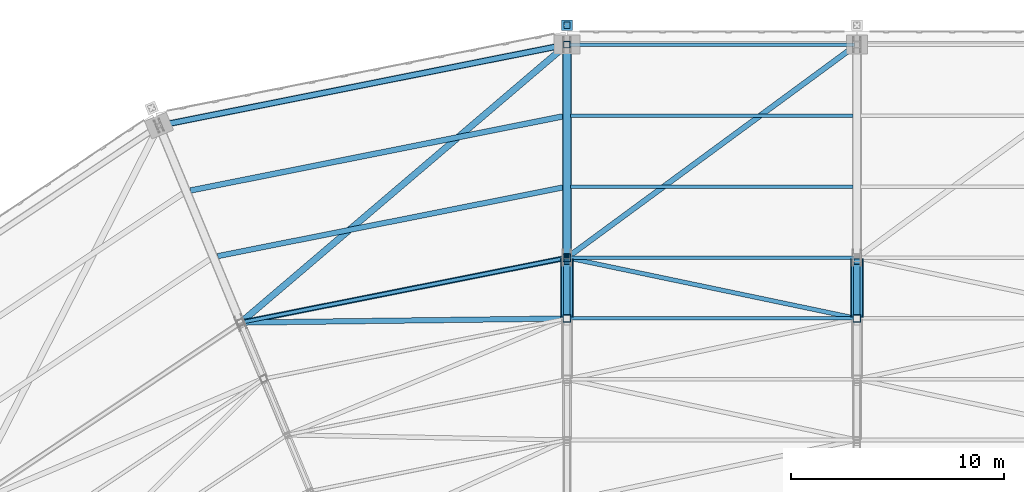
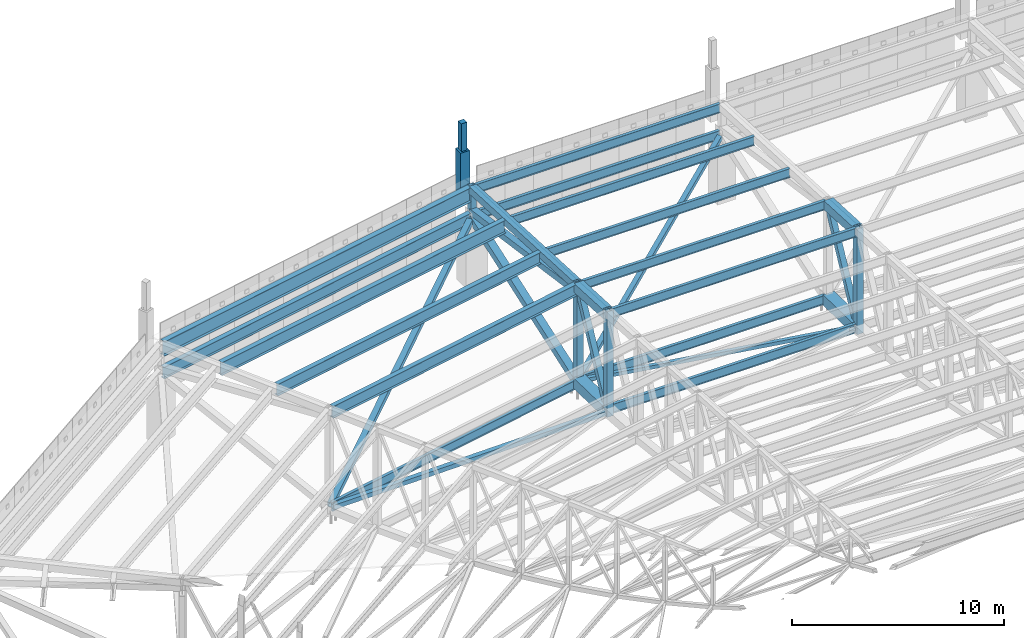
# One storey, part 90 of 278: 23 members, 10 beams.
"""IFC4 building model written with IfcOpenShell, lengths in metres."""

import ifcopenshell
import ifcopenshell.guid

model = None  # the IFC model being written
_history = None  # IfcOwnerHistory: only IFC2X3 demands one
_inside = {}  # id of a spatial element -> (the spatial element, [elements in it])
_under = {}  # id of a project, library or spatial element -> (it, [spatial elements below it])
_declared = {}  # id of a project -> (the project, [libraries it declares])
_typed = {}  # id of a type object -> (the type object, [elements of that type])
_made_of = {}  # id of a material, layer set ... -> (it, [elements and type objects made of it])


def new_model(schema):
    """Start an empty IFC model of exactly this schema.

    Asked for "IFC4X3", IfcOpenShell would pick the latest addendum, in which some entities
    have other attributes; the version numbers below select the first issue.
    IFC2X3 requires an IfcOwnerHistory on every rooted entity: one is made here for all.
    """
    global model, _history
    if schema == "IFC4X3":
        model = ifcopenshell.file(schema_version=(4, 3, 0, 0))
    else:
        model = ifcopenshell.file(schema=schema)
    _inside.clear()
    _under.clear()
    _declared.clear()
    _typed.clear()
    _made_of.clear()
    _history = None
    if model.schema == "IFC2X3":
        org = make("IfcOrganization", Name="unknown")
        user = make(
            "IfcPersonAndOrganization",
            ThePerson=make("IfcPerson", FamilyName="unknown"),
            TheOrganization=org,
        )
        app = make(
            "IfcApplication",
            ApplicationDeveloper=org,
            Version="unknown",
            ApplicationFullName="unknown",
            ApplicationIdentifier="unknown",
        )
        _history = make(
            "IfcOwnerHistory",
            OwningUser=user,
            OwningApplication=app,
            ChangeAction="ADDED",
            CreationDate=0,
        )
    return model


def make(cls, **values):
    """One entity of the class cls with the attributes given. An attribute that is None is left unset."""
    return model.create_entity(
        cls, **{name: value for name, value in values.items() if value is not None}
    )


def rooted(cls, **values):
    """An entity with a GlobalId (a new one), such as an element, a storey or a relation."""
    return make(cls, GlobalId=ifcopenshell.guid.new(), OwnerHistory=_history, **values)


def si_unit(unit_type, name, prefix=None):
    """IfcSIUnit, for example si_unit("LENGTHUNIT", "METRE", prefix="MILLI")."""
    return make("IfcSIUnit", UnitType=unit_type, Prefix=prefix, Name=name)


def assignment(units):
    """IfcUnitAssignment: the units of a project."""
    return None if units is None else make("IfcUnitAssignment", Units=units)


def point(xyz):
    """IfcCartesianPoint."""
    return None if xyz is None else make("IfcCartesianPoint", Coordinates=xyz)


def direction(xyz):
    """IfcDirection."""
    return None if xyz is None else make("IfcDirection", DirectionRatios=xyz)


def frame(location, z_axis=None, x_axis=None):
    """IfcAxis2Placement3D, a coordinate frame: its origin and axes. An axis left out is left unset."""
    return make(
        "IfcAxis2Placement3D",
        Location=point(location),
        Axis=direction(z_axis),
        RefDirection=direction(x_axis),
    )


def frame_2d(location, x_axis=None):
    """IfcAxis2Placement2D, a coordinate frame in the plane: its origin and x axis."""
    return make(
        "IfcAxis2Placement2D", Location=point(location), RefDirection=direction(x_axis)
    )


def origin():
    """The frame at (0, 0, 0) with its axes left unset."""
    return frame((0.0, 0.0, 0.0))


def origin_2d():
    """The frame at (0, 0) in the plane with its x axis left unset."""
    return frame_2d((0.0, 0.0))


def place(relative_to, where):
    """IfcLocalPlacement: puts the frame where relative to a parent placement (None: the world)."""
    return make(
        "IfcLocalPlacement", PlacementRelTo=relative_to, RelativePlacement=where
    )


def context(
    kind, dimensions, precision=None, world=None, true_north=None, identifier=None
):
    """IfcGeometricRepresentationContext, for example the 3D "Model" context."""
    return make(
        "IfcGeometricRepresentationContext",
        ContextIdentifier=identifier,
        ContextType=kind,
        CoordinateSpaceDimension=dimensions,
        Precision=precision,
        WorldCoordinateSystem=world,
        TrueNorth=true_north,
    )


def subcontext(parent, identifier, kind, view, scale=None):
    """IfcGeometricRepresentationSubContext, for example "Body" below "Model"."""
    return make(
        "IfcGeometricRepresentationSubContext",
        ContextIdentifier=identifier,
        ContextType=kind,
        ParentContext=parent,
        TargetScale=scale,
        TargetView=view,
    )


def project(units=None, contexts=None):
    """IfcProject with its units and contexts."""
    return rooted(
        "IfcProject",
        Name="project",
        RepresentationContexts=contexts,
        UnitsInContext=assignment(units),
    )


def spatial(cls, under=None, at=None, **own):
    """A site, building, storey or space (cls), placed at a placement, below another one or the project."""
    s = rooted(cls, ObjectPlacement=at, **own)
    if under is not None:
        _under.setdefault(under.id(), (under, []))[1].append(s)
    return s


def profile(cls, at=None, kind="AREA", **sizes):
    """A parametric profile (cls). Its sizes go by their IFC names, for example OverallWidth=200.0."""
    return make(cls, ProfileType=kind, Position=at, **sizes)


def rectangle(**sizes):
    """IfcRectangleProfileDef."""
    return profile("IfcRectangleProfileDef", **sizes)


def hollow_rectangle(**sizes):
    """IfcRectangleHollowProfileDef."""
    return profile("IfcRectangleHollowProfileDef", **sizes)


def i_section(**sizes):
    """IfcIShapeProfileDef."""
    return profile("IfcIShapeProfileDef", **sizes)


def extrude(swept, where, along, depth):
    """IfcExtrudedAreaSolid: the profile swept, set in the frame where, extruded along a direction by depth."""
    return make(
        "IfcExtrudedAreaSolid",
        SweptArea=swept,
        Position=where,
        ExtrudedDirection=direction(along),
        Depth=depth,
    )


def shape(context_of_items, identifier, shape_type, items):
    """IfcShapeRepresentation: the items that make up one representation, for example the "Body"."""
    return make(
        "IfcShapeRepresentation",
        ContextOfItems=context_of_items,
        RepresentationIdentifier=identifier,
        RepresentationType=shape_type,
        Items=items,
    )


def material(Name=None, Category=None):
    """IfcMaterial."""
    return make("IfcMaterial", Name=Name, Category=Category)


def material_profile(
    of_material, cross_section, Name=None, Category=None, Priority=None
):
    """IfcMaterialProfile: a cross section and its material."""
    return make(
        "IfcMaterialProfile",
        Name=Name,
        Material=of_material,
        Profile=cross_section,
        Priority=Priority,
        Category=Category,
    )


def profile_set(profiles, Name=None, composite=None):
    """IfcMaterialProfileSet."""
    return make(
        "IfcMaterialProfileSet",
        Name=Name,
        MaterialProfiles=profiles,
        CompositeProfile=composite,
    )


def made_of(thing, what):
    """Note that an element or type object is made of a material, layer set ...; save() writes the relation."""
    if what is not None:
        _made_of.setdefault(what.id(), (what, []))[1].append(thing)
    return thing


def type_object(cls, material=None, **own):
    """A type object (cls), such as IfcWallType, which elements share."""
    return made_of(rooted(cls, **own), material)


def element(
    cls,
    number,
    at=None,
    inside=None,
    cuts=None,
    type_object=None,
    material=None,
    context=None,
    identifier="Body",
    shape_type=None,
    held_by="IfcProductDefinitionShape",
    body=None,
    shapes=None,
    **own,
):
    """One element of the class cls, such as IfcWall. Its Tag is "e" and its number.

    at: its placement. inside: the storey or other place that contains it. cuts: it is an
    opening in that element (IfcRelVoidsElement). A single representation is given by context,
    identifier, shape_type and body (its items); several are given by shapes. held_by: the class
    of the entity that holds the representations. save() writes the other relations.
    """
    e = rooted(cls, Tag="e%d" % number, ObjectPlacement=at, **own)
    if body is not None:
        shapes = [shape(context, identifier, shape_type, body)]
    if shapes is not None:
        e.Representation = make(held_by, Representations=shapes)
    if inside is not None:
        _inside.setdefault(inside.id(), (inside, []))[1].append(e)
    if cuts is not None:
        rooted(
            "IfcRelVoidsElement", RelatingBuildingElement=cuts, RelatedOpeningElement=e
        )
    if type_object is not None:
        _typed.setdefault(type_object.id(), (type_object, []))[1].append(e)
    return made_of(e, material)


def aggregate(whole, parts):
    """IfcRelAggregates: a whole, such as a stair, and the parts it consists of."""
    return rooted("IfcRelAggregates", RelatingObject=whole, RelatedObjects=parts)


def save(model, path):
    """Write the relations noted so far, then the file.

    IfcRelAggregates (storeys below a building ...), IfcRelContainedInSpatialStructure (elements
    in a storey), IfcRelDefinesByType, IfcRelAssociatesMaterial and IfcRelDeclares: one each for
    every whole, place, type object, material and project.
    """
    for whole, parts in _under.values():
        aggregate(whole, parts)
    for where, things in _inside.values():
        rooted(
            "IfcRelContainedInSpatialStructure",
            RelatedElements=things,
            RelatingStructure=where,
        )
    for kind, things in _typed.values():
        rooted("IfcRelDefinesByType", RelatedObjects=things, RelatingType=kind)
    for what, things in _made_of.values():
        rooted("IfcRelAssociatesMaterial", RelatedObjects=things, RelatingMaterial=what)
    for by, libraries in _declared.values():
        rooted("IfcRelDeclares", RelatingContext=by, RelatedDefinitions=libraries)
    model.write(path)


model = new_model("IFC4")

# Units and contexts
model_context = context("Model", 3, precision=1e-05, world=origin(), true_north=direction((0.0, 1.0)))
body_context = subcontext(model_context, "Body", "Model", "MODEL_VIEW")
ifc_project = project(units=[si_unit("LENGTHUNIT", "METRE"), si_unit("AREAUNIT", "SQUARE_METRE"), si_unit("VOLUMEUNIT", "CUBIC_METRE"), si_unit("PLANEANGLEUNIT", "RADIAN"), si_unit("MASSUNIT", "GRAM", prefix="KILO")], contexts=[model_context])

# Site, building, storey
site_placement = place(None, origin())
site = spatial("IfcSite", under=ifc_project, at=site_placement, CompositionType="ELEMENT")
building_placement = place(site_placement, origin())
building = spatial("IfcBuilding", under=site, at=building_placement, Name="Ogive Plaza Stadium", CompositionType="ELEMENT")
storey_placement = place(building_placement, frame((0.0, 0.0, 29.0)))
storey = spatial("IfcBuildingStorey", under=building, at=storey_placement, Name="Roof", CompositionType="ELEMENT", Elevation=29.0)

# Members
ifc_material_1 = material(Name="Concrete C45/55 precast", Category="concrete")
ifc_material_profile_1 = material_profile(ifc_material_1, rectangle(XDim=0.5, YDim=0.5, at=origin_2d()), Name="RC 500x500")
ifc_profile_set_1 = profile_set([ifc_material_profile_1], Name="Concrete C45/55 precast")
member_type_1 = type_object("IfcMemberType", Name="Precast pinnacle 500x500", PredefinedType="POST", material=ifc_profile_set_1)
member_1_placement = place(storey_placement, frame((-34.0, 103.39990234375, 4.0), z_axis=(0.0, 0.0, 1.0), x_axis=(-1.0, 0.0, 0.0)))
element("IfcMember", 1, at=member_1_placement, inside=storey, type_object=member_type_1, Name="PINNACLE R32", PredefinedType="POST", context=body_context, shape_type="SweptSolid", body=[
    extrude(rectangle(XDim=0.5, YDim=0.5, at=origin_2d()), origin(), (0.0, 0.0, 1.0), 3.0),
])
ifc_material_2 = material(Name="Concrete C45/55 precast", Category="concrete")
ifc_material_profile_2 = material_profile(ifc_material_2, rectangle(XDim=0.300048828125, YDim=0.300048828125, at=origin_2d()), Name="RC 300x300")
ifc_profile_set_2 = profile_set([ifc_material_profile_2], Name="Concrete C45/55 precast")
member_type_2 = type_object("IfcMemberType", Name="Precast spire 300x300", PredefinedType="MEMBER", material=ifc_profile_set_2)
member_2_placement = place(storey_placement, frame((-34.0, 103.39990234375, 7.0), z_axis=(0.0, 0.0, 1.0), x_axis=(-1.0, 0.0, 0.0)))
element("IfcMember", 2, at=member_2_placement, inside=storey, type_object=member_type_2, Name="SPIRE R32", PredefinedType="MEMBER", context=body_context, shape_type="SweptSolid", body=[
    extrude(rectangle(XDim=0.300048828125, YDim=0.300048828125, at=origin_2d()), origin(), (0.0, 0.0, 1.0), 1.60009765625),
])
ifc_material_3 = material(Name="Steel ASTM A500 Grade C", Category="steel")
ifc_material_profile_3 = material_profile(ifc_material_3, hollow_rectangle(XDim=0.25390625, YDim=0.25390625, WallThickness=0.0087890625, at=origin_2d()), Name="HSS10X10X3/8")
ifc_profile_set_3 = profile_set([ifc_material_profile_3], Name="Steel ASTM A500 Grade C")
member_type_3 = type_object("IfcMemberType", Name="Roof plan brace HSS10X10X3/8", PredefinedType="BRACE", material=ifc_profile_set_3)
member_3_placement = place(storey_placement, frame((-34.1494140625, 89.648193359375, 0.266845703125), z_axis=(-0.99991008144, -0.012733242681, -0.004206372102), x_axis=(0.01273335533, -0.999918927545, 0.0)))
element("IfcMember", 3, at=member_3_placement, inside=storey, type_object=member_type_3, Name="ROOF BRACE B31 10", PredefinedType="BRACE", context=body_context, shape_type="SweptSolid", body=[
    extrude(hollow_rectangle(XDim=0.25390625, YDim=0.25390625, WallThickness=0.0087890625, at=origin_2d()), origin(), (0.0, 0.0, 1.0), 14.974609375),
])
member_4_placement = place(storey_placement, frame((-33.771240234375, 92.668212890625, 0.362060546875), z_axis=(0.789806515967, 0.580738793181, 0.197352784197), x_axis=(-0.592389594991, 0.805651641683, 0.0)))
element("IfcMember", 4, at=member_4_placement, inside=storey, type_object=member_type_3, Name="ROOF BRACE B32 11", PredefinedType="BRACE", context=body_context, shape_type="SweptSolid", body=[
    extrude(hollow_rectangle(XDim=0.25390625, YDim=0.25390625, WallThickness=0.0087890625, at=origin_2d()), origin(), (0.0, 0.0, 1.0), 16.672119140625),
])
ifc_material_4 = material(Name="Steel ASTM A500 Grade C", Category="steel")
ifc_material_profile_4 = material_profile(ifc_material_4, hollow_rectangle(XDim=0.3046875, YDim=0.3046875, WallThickness=0.0087890625, at=origin_2d()), Name="HSS12X12X3/8")
ifc_profile_set_4 = profile_set([ifc_material_profile_4], Name="Steel ASTM A500 Grade C")
member_type_4 = type_object("IfcMemberType", Name="Roof plan brace HSS12X12X3/8", PredefinedType="BRACE", material=ifc_profile_set_4)
member_5_placement = place(storey_placement, frame((-49.170654296875, 89.571533203125, 0.234130859375), z_axis=(0.749996237985, 0.639156639067, 0.170248153429), x_axis=(-0.648625783566, 0.761107477886, 0.0)))
element("IfcMember", 5, at=member_5_placement, inside=storey, type_object=member_type_4, Name="ROOF BRACE B31 11", PredefinedType="BRACE", context=body_context, shape_type="SweptSolid", body=[
    extrude(hollow_rectangle(XDim=0.3046875, YDim=0.3046875, WallThickness=0.0087890625, at=origin_2d()), origin(), (0.0, 0.0, 1.0), 19.9228515625),
])
ifc_material_5 = material(Name="Steel ASTM A500 Grade C", Category="steel")
ifc_material_profile_5 = material_profile(ifc_material_5, hollow_rectangle(XDim=0.203125, YDim=0.203125, WallThickness=0.0087890625, at=origin_2d()), Name="HSS8X8X3/8")
ifc_profile_set_5 = profile_set([ifc_material_profile_5], Name="Steel ASTM A500 Grade C")
member_type_5 = type_object("IfcMemberType", Name="Roof plan brace HSS8X8X3/8", PredefinedType="BRACE", material=ifc_profile_set_5)
member_6_placement = place(storey_placement, frame((-20.5693359375, 89.685546875, 0.3681640625), z_axis=(-0.978729937555, 0.205101030564, -0.004612656051), x_axis=(-0.205103212524, -0.978740349742, 0.0)))
element("IfcMember", 6, at=member_6_placement, inside=storey, type_object=member_type_5, Name="ROOF BRACE B32 10", PredefinedType="BRACE", context=body_context, shape_type="SweptSolid", body=[
    extrude(hollow_rectangle(XDim=0.203125, YDim=0.203125, WallThickness=0.0087890625, at=origin_2d()), origin(), (0.0, 0.0, 1.0), 13.549560546875),
])
ifc_material_6 = material(Name="Steel ASTM A992 Grade 50", Category="steel")
ifc_material_profile_6 = material_profile(ifc_material_6, i_section(OverallWidth=0.1650390625, OverallDepth=0.524658203125, WebThickness=0.0087890625, FlangeThickness=0.011474609375, at=origin_2d()), Name="W21X44")
ifc_profile_set_6 = profile_set([ifc_material_profile_6], Name="Steel ASTM A992 Grade 50")
member_type_6 = type_object("IfcMemberType", Name="Roof plan strut W21X44", PredefinedType="STRUT", material=ifc_profile_set_6)
member_7_placement = place(storey_placement, frame((-49.168212890625, 89.48291015625, 0.203125), z_axis=(0.98078576758, 0.195087872799, 0.0), x_axis=(-0.195087872799, 0.98078576758, 0.0)))
element("IfcMember", 7, at=member_7_placement, inside=storey, type_object=member_type_6, Name="ROOF STRUT B31 10", PredefinedType="STRUT", context=body_context, shape_type="SweptSolid", body=[
    extrude(i_section(OverallWidth=0.1650390625, OverallDepth=0.524658203125, WebThickness=0.0087890625, FlangeThickness=0.011474609375, at=origin_2d()), origin(), (0.0, 0.0, 1.0), 15.297607421875),
])
for number, where, z_axis, x_axis, name in (
    (8, (-33.852294921875, 89.64990234375, 0.369140625), (1.0, 0.0, 0.0), (0.0, 1.0, 0.0), "ROOF STRUT B32 9"),
    (9, (-33.852294921875, 92.5, 0.3046875), (1.0, 0.0, 0.0), (0.0, 1.0, 0.0), "ROOF STRUT B32 10"),
):
    element("IfcMember", number, at=place(storey_placement, frame(where, z_axis=z_axis, x_axis=x_axis)), inside=storey, type_object=member_type_6, Name=name, PredefinedType="STRUT", context=body_context, shape_type="SweptSolid", body=[
        extrude(i_section(OverallWidth=0.1650390625, OverallDepth=0.524658203125, WebThickness=0.0087890625, FlangeThickness=0.011474609375, at=origin_2d()), origin(), (0.0, 0.0, 1.0), 13.304443359375),
    ])
member_8_placement = place(storey_placement, frame((-33.877685546875, 102.5, 3.703125), z_axis=(1.0, 0.0, 0.0), x_axis=(0.0, 1.0, 0.0)))
element("IfcMember", 10, at=member_8_placement, inside=storey, type_object=member_type_6, Name="ROOF STRUT B32 11", PredefinedType="STRUT", context=body_context, shape_type="SweptSolid", body=[
    extrude(i_section(OverallWidth=0.1650390625, OverallDepth=0.524658203125, WebThickness=0.0087890625, FlangeThickness=0.011474609375, at=origin_2d()), origin(), (0.0, 0.0, 1.0), 13.355224609375),
])
ifc_material_7 = material(Name="Steel ASTM A992 Grade 50", Category="steel")
ifc_material_profile_7 = material_profile(ifc_material_7, i_section(OverallWidth=0.2529296875, OverallDepth=0.678466796875, WebThickness=0.01171875, FlangeThickness=0.016357421875, at=origin_2d()), Name="W27X84")
ifc_profile_set_7 = profile_set([ifc_material_profile_7], Name="Steel ASTM A992 Grade 50")
member_type_7 = type_object("IfcMemberType", Name="Roof plan strut W27X84", PredefinedType="STRUT", material=ifc_profile_set_7)
member_9_placement = place(storey_placement, frame((-53.037353515625, 98.713134765625, 3.677734375), z_axis=(0.980783455639, 0.195099495499, 0.0), x_axis=(-0.195099495499, 0.980783455639, 0.0)))
element("IfcMember", 11, at=member_9_placement, inside=storey, type_object=member_type_7, Name="ROOF STRUT B31 11", PredefinedType="STRUT", context=body_context, shape_type="SweptSolid", body=[
    extrude(i_section(OverallWidth=0.2529296875, OverallDepth=0.678466796875, WebThickness=0.01171875, FlangeThickness=0.016357421875, at=origin_2d()), origin(), (0.0, 0.0, 1.0), 19.259765625),
])
ifc_material_8 = material(Name="Steel ASTM A992 Grade 50", Category="steel")
ifc_material_profile_8 = material_profile(ifc_material_8, i_section(OverallWidth=0.1650390625, OverallDepth=0.524658203125, WebThickness=0.0087890625, FlangeThickness=0.011474609375, at=origin_2d()), Name="W21X44")
ifc_profile_set_8 = profile_set([ifc_material_profile_8], Name="Steel ASTM A992 Grade 50")
member_type_8 = type_object("IfcMemberType", Name="Roof purlin W21X44", PredefinedType="PURLIN", material=ifc_profile_set_8)
for number, where, z_axis, x_axis, name in (
    (12, (-33.852294921875, 89.64990234375, 5.880126953125), (1.0, 0.0, 0.0), (0.0, 1.0, 0.0), "ROOF PURLIN B32 9"),
    (13, (-33.852294921875, 92.5, 5.737548828125), (1.0, 0.0, 0.0), (0.0, 1.0, 0.0), "ROOF PURLIN B32 10"),
):
    element("IfcMember", number, at=place(storey_placement, frame(where, z_axis=z_axis, x_axis=x_axis)), inside=storey, type_object=member_type_8, Name=name, PredefinedType="PURLIN", context=body_context, shape_type="SweptSolid", body=[
        extrude(i_section(OverallWidth=0.1650390625, OverallDepth=0.524658203125, WebThickness=0.0087890625, FlangeThickness=0.011474609375, at=origin_2d()), origin(), (0.0, 0.0, 1.0), 13.304443359375),
    ])
for number, where, z_axis, x_axis, name in (
    (14, (-33.826904296875, 95.833251953125, 5.571044921875), (1.0, 0.0, 0.0), (0.0, 1.0, 0.0), "ROOF PURLIN B32 11"),
    (15, (-33.826904296875, 99.166748046875, 5.404296875), (1.0, 0.0, 0.0), (0.0, 1.0, 0.0), "ROOF PURLIN B32 12"),
):
    element("IfcMember", number, at=place(storey_placement, frame(where, z_axis=z_axis, x_axis=x_axis)), inside=storey, type_object=member_type_8, Name=name, PredefinedType="PURLIN", context=body_context, shape_type="SweptSolid", body=[
        extrude(i_section(OverallWidth=0.1650390625, OverallDepth=0.524658203125, WebThickness=0.0087890625, FlangeThickness=0.011474609375, at=origin_2d()), origin(), (0.0, 0.0, 1.0), 13.253662109375),
    ])
member_10_placement = place(storey_placement, frame((-33.877685546875, 102.5, 5.237548828125), z_axis=(1.0, 0.0, 0.0), x_axis=(0.0, 1.0, 0.0)))
element("IfcMember", 16, at=member_10_placement, inside=storey, type_object=member_type_8, Name="ROOF PURLIN B32 13", PredefinedType="PURLIN", context=body_context, shape_type="SweptSolid", body=[
    extrude(i_section(OverallWidth=0.1650390625, OverallDepth=0.524658203125, WebThickness=0.0087890625, FlangeThickness=0.011474609375, at=origin_2d()), origin(), (0.0, 0.0, 1.0), 13.355224609375),
])
ifc_material_9 = material(Name="Steel ASTM A992 Grade 50", Category="steel")
ifc_material_profile_9 = material_profile(ifc_material_9, i_section(OverallWidth=0.2529296875, OverallDepth=0.678466796875, WebThickness=0.01171875, FlangeThickness=0.016357421875, at=origin_2d()), Name="W27X84")
ifc_profile_set_9 = profile_set([ifc_material_profile_9], Name="Steel ASTM A992 Grade 50")
member_type_9 = type_object("IfcMemberType", Name="Roof purlin W27X84", PredefinedType="PURLIN", material=ifc_profile_set_9)
member_11_placement = place(storey_placement, frame((-49.15966796875, 89.484619140625, 5.660888671875), z_axis=(0.980786000888, 0.195086699859, 0.0), x_axis=(-0.195086699859, 0.980786000888, 0.0)))
element("IfcMember", 17, at=member_11_placement, inside=storey, type_object=member_type_9, Name="ROOF PURLIN B31 10", PredefinedType="PURLIN", context=body_context, shape_type="SweptSolid", body=[
    extrude(i_section(OverallWidth=0.2529296875, OverallDepth=0.678466796875, WebThickness=0.01171875, FlangeThickness=0.016357421875, at=origin_2d()), origin(), (0.0, 0.0, 1.0), 15.2802734375),
])
member_12_placement = place(storey_placement, frame((-50.384521484375, 92.57421875, 5.494140625), z_axis=(0.980783842794, 0.195097549229, 0.0), x_axis=(-0.195097549229, 0.980783842794, 0.0)))
element("IfcMember", 18, at=member_12_placement, inside=storey, type_object=member_type_9, Name="ROOF PURLIN B31 11", PredefinedType="PURLIN", context=body_context, shape_type="SweptSolid", body=[
    extrude(i_section(OverallWidth=0.2529296875, OverallDepth=0.678466796875, WebThickness=0.01171875, FlangeThickness=0.016357421875, at=origin_2d()), origin(), (0.0, 0.0, 1.0), 16.503173828125),
])
ifc_material_10 = material(Name="Steel ASTM A992 Grade 50", Category="steel")
ifc_material_profile_10 = material_profile(ifc_material_10, i_section(OverallWidth=0.26416015625, OverallDepth=0.75, WebThickness=0.011962890625, FlangeThickness=0.015380859375, at=origin_2d()), Name="W30X90")
ifc_profile_set_10 = profile_set([ifc_material_profile_10], Name="Steel ASTM A992 Grade 50")
member_type_10 = type_object("IfcMemberType", Name="Roof purlin W30X90", PredefinedType="PURLIN", material=ifc_profile_set_10)
member_13_placement = place(storey_placement, frame((-51.658935546875, 95.654052734375, 5.291748046875), z_axis=(0.98078533037, 0.195090070818, 0.0), x_axis=(-0.195090070818, 0.98078533037, 0.0)))
element("IfcMember", 19, at=member_13_placement, inside=storey, type_object=member_type_10, Name="ROOF PURLIN B31 12", PredefinedType="PURLIN", context=body_context, shape_type="SweptSolid", body=[
    extrude(i_section(OverallWidth=0.26416015625, OverallDepth=0.75, WebThickness=0.011962890625, FlangeThickness=0.015380859375, at=origin_2d()), origin(), (0.0, 0.0, 1.0), 17.801513671875),
])
ifc_material_11 = material(Name="Steel ASTM A992 Grade 50", Category="steel")
ifc_material_profile_11 = material_profile(ifc_material_11, i_section(OverallWidth=0.2919921875, OverallDepth=0.834716796875, WebThickness=0.013916015625, FlangeThickness=0.018798828125, at=origin_2d()), Name="W33X118")
ifc_profile_set_11 = profile_set([ifc_material_profile_11], Name="Steel ASTM A992 Grade 50")
member_type_11 = type_object("IfcMemberType", Name="Roof purlin W33X118", PredefinedType="PURLIN", material=ifc_profile_set_11)
member_14_placement = place(storey_placement, frame((-53.033447265625, 98.714111328125, 5.082763671875), z_axis=(0.98078547793, 0.195089328978, 0.0), x_axis=(-0.195089328978, 0.98078547793, 0.0)))
element("IfcMember", 20, at=member_14_placement, inside=storey, type_object=member_type_11, Name="ROOF PURLIN B31 13", PredefinedType="PURLIN", context=body_context, shape_type="SweptSolid", body=[
    extrude(i_section(OverallWidth=0.2919921875, OverallDepth=0.834716796875, WebThickness=0.013916015625, FlangeThickness=0.018798828125, at=origin_2d()), origin(), (0.0, 0.0, 1.0), 19.251953125),
])

# Beams
ifc_material_12 = material(Name="Steel ASTM A500 Grade C", Category="steel")
ifc_material_profile_12 = material_profile(ifc_material_12, hollow_rectangle(XDim=0.406494140625, YDim=0.406494140625, WallThickness=0.0146484375, at=origin_2d()), Name="HSS16X16X5/8")
ifc_profile_set_12 = profile_set([ifc_material_profile_12], Name="Steel ASTM A500 Grade C")
beam_type_1 = type_object("IfcBeamType", Name="Roof truss back-span bottom chord HSS16X16X5/8", PredefinedType="BEAM", material=ifc_profile_set_12)
beam_1_placement = place(storey_placement, frame((-34.0, 92.550048828125, 0.232666015625), z_axis=(0.0, 0.943851085966, 0.330371196567), x_axis=(-1.0, 0.0, 0.0)))
element("IfcBeam", 21, at=beam_1_placement, inside=storey, type_object=beam_type_1, Name="ROOF TRUSS T32 BOTTOM CHORD 11", PredefinedType="BEAM", context=body_context, shape_type="SweptSolid", body=[
    extrude(hollow_rectangle(XDim=0.406494140625, YDim=0.406494140625, WallThickness=0.0146484375, at=origin_2d()), origin(), (0.0, 0.0, 1.0), 10.470703125),
])
ifc_material_13 = material(Name="Steel ASTM A500 Grade C", Category="steel")
ifc_material_profile_13 = material_profile(ifc_material_13, hollow_rectangle(XDim=0.406494140625, YDim=0.406494140625, WallThickness=0.0146484375, at=origin_2d()), Name="HSS16X16X5/8")
ifc_profile_set_13 = profile_set([ifc_material_profile_13], Name="Steel ASTM A500 Grade C")
beam_type_2 = type_object("IfcBeamType", Name="Roof truss back-span top chord HSS16X16X5/8", PredefinedType="BEAM", material=ifc_profile_set_13)
beam_2_placement = place(storey_placement, frame((-34.0, 92.550048828125, 5.7939453125), z_axis=(0.0, 0.998752953021, -0.049925332571), x_axis=(-1.0, 0.0, 0.0)))
element("IfcBeam", 22, at=beam_2_placement, inside=storey, type_object=beam_type_2, Name="ROOF TRUSS T32 TOP CHORD 11", PredefinedType="BEAM", context=body_context, shape_type="SweptSolid", body=[
    extrude(hollow_rectangle(XDim=0.406494140625, YDim=0.406494140625, WallThickness=0.0146484375, at=origin_2d()), origin(), (0.0, 0.0, 1.0), 9.912353515625),
])

# Member
ifc_material_14 = material(Name="Steel ASTM A500 Grade C", Category="steel")
ifc_material_profile_14 = material_profile(ifc_material_14, hollow_rectangle(XDim=0.355712890625, YDim=0.355712890625, WallThickness=0.0146484375, at=origin_2d()), Name="HSS14X14X5/8")
ifc_profile_set_14 = profile_set([ifc_material_profile_14], Name="Steel ASTM A500 Grade C")
member_type_12 = type_object("IfcMemberType", Name="Roof truss back-stay HSS14X14X5/8", PredefinedType="BRACE", material=ifc_profile_set_14)
member_15_placement = place(storey_placement, frame((-34.0, 92.593017578125, 5.45654296875), z_axis=(0.0, 0.989844100519, -0.142157154826), x_axis=(-1.0, 0.0, 0.0)))
element("IfcMember", 23, at=member_15_placement, inside=storey, type_object=member_type_12, Name="BACK-STAY T32", PredefinedType="BRACE", context=body_context, shape_type="SweptSolid", body=[
    extrude(hollow_rectangle(XDim=0.355712890625, YDim=0.355712890625, WallThickness=0.0146484375, at=origin_2d()), origin(), (0.0, 0.0, 1.0), 9.9404296875),
])

# Beams
ifc_material_15 = material(Name="Steel ASTM A500 Grade C", Category="steel")
ifc_material_profile_15 = material_profile(ifc_material_15, hollow_rectangle(XDim=0.609619140625, YDim=0.609619140625, WallThickness=0.0146484375, at=origin_2d()), Name="HSS24X24X5/8")
ifc_profile_set_15 = profile_set([ifc_material_profile_15], Name="Steel ASTM A500 Grade C")
beam_type_3 = type_object("IfcBeamType", Name="Roof truss bottom chord HSS24X24X5/8", PredefinedType="BEAM", material=ifc_profile_set_15)
for number, where, z_axis, x_axis, name in (
    (24, (-34.0, 89.699951171875, 0.367919921875), (0.0, 0.999745852076, -0.022543984946), (-1.0, 0.0, 0.0), "ROOF TRUSS T32 BOTTOM CHORD 10"),
    (25, (-20.39990234375, 89.699951171875, 0.367919921875), (0.0, 0.999745852076, -0.022543984946), (-1.0, 0.0, 0.0), "ROOF TRUSS T33 BOTTOM CHORD 10"),
):
    element("IfcBeam", number, at=place(storey_placement, frame(where, z_axis=z_axis, x_axis=x_axis)), inside=storey, type_object=beam_type_3, Name=name, PredefinedType="BEAM", context=body_context, shape_type="SweptSolid", body=[
        extrude(hollow_rectangle(XDim=0.609619140625, YDim=0.609619140625, WallThickness=0.0146484375, at=origin_2d()), origin(), (0.0, 0.0, 1.0), 2.750732421875),
    ])

# Members
ifc_material_16 = material(Name="Steel ASTM A500 Grade C", Category="steel")
ifc_material_profile_16 = material_profile(ifc_material_16, hollow_rectangle(XDim=0.3046875, YDim=0.3046875, WallThickness=0.0087890625, at=origin_2d()), Name="HSS12X12X3/8")
ifc_profile_set_16 = profile_set([ifc_material_profile_16], Name="Steel ASTM A500 Grade C")
member_type_13 = type_object("IfcMemberType", Name="Roof truss diagonal HSS12X12X3/8", PredefinedType="BRACE", material=ifc_profile_set_16)
for number, where, z_axis, x_axis, name in (
    (26, (-34.0, 89.827880859375, 0.673828125), (0.0, 0.459750963822, 0.888047887934), (-1.0, 0.0, 0.0), "ROOF TRUSS T32 DIAGONAL 10"),
    (27, (-20.39990234375, 89.827880859375, 0.673828125), (0.0, 0.459750963822, 0.888047887934), (-1.0, 0.0, 0.0), "ROOF TRUSS T33 DIAGONAL 10"),
):
    element("IfcMember", number, at=place(storey_placement, frame(where, z_axis=z_axis, x_axis=x_axis)), inside=storey, type_object=member_type_13, Name=name, PredefinedType="BRACE", context=body_context, shape_type="SweptSolid", body=[
        extrude(hollow_rectangle(XDim=0.3046875, YDim=0.3046875, WallThickness=0.0087890625, at=origin_2d()), origin(), (0.0, 0.0, 1.0), 5.425537109375),
    ])

# Beams
ifc_material_17 = material(Name="Steel ASTM A500 Grade C", Category="steel")
ifc_material_profile_17 = material_profile(ifc_material_17, hollow_rectangle(XDim=0.3046875, YDim=0.3046875, WallThickness=0.01171875, at=origin_2d()), Name="HSS12X12X1/2")
ifc_profile_set_17 = profile_set([ifc_material_profile_17], Name="Steel ASTM A500 Grade C")
beam_type_4 = type_object("IfcBeamType", Name="Roof truss post HSS12X12X1/2", PredefinedType="BEAM", material=ifc_profile_set_17)
beam_3_placement = place(storey_placement, frame((-34.0, 102.5, 3.43994140625), z_axis=(0.0, 0.0, 1.0), x_axis=(-1.0, 0.0, 0.0)))
element("IfcBeam", 28, at=beam_3_placement, inside=storey, type_object=beam_type_4, Name="ROOF TRUSS T32 POST 12", PredefinedType="BEAM", context=body_context, shape_type="SweptSolid", body=[
    extrude(hollow_rectangle(XDim=0.3046875, YDim=0.3046875, WallThickness=0.01171875, at=origin_2d()), origin(), (0.0, 0.0, 1.0), 2.06005859375),
])
ifc_material_18 = material(Name="Steel ASTM A500 Grade C", Category="steel")
ifc_material_profile_18 = material_profile(ifc_material_18, hollow_rectangle(XDim=0.355712890625, YDim=0.355712890625, WallThickness=0.0146484375, at=origin_2d()), Name="HSS14X14X5/8")
ifc_profile_set_18 = profile_set([ifc_material_profile_18], Name="Steel ASTM A500 Grade C")
beam_type_5 = type_object("IfcBeamType", Name="Roof truss post HSS14X14X5/8", PredefinedType="BEAM", material=ifc_profile_set_18)
beam_4_placement = place(storey_placement, frame((-34.0, 89.64990234375, 0.064208984375), z_axis=(0.0, 0.0, 1.0), x_axis=(-1.0, 0.0, 0.0)))
element("IfcBeam", 29, at=beam_4_placement, inside=storey, type_object=beam_type_5, Name="ROOF TRUSS T32 POST 10", PredefinedType="BEAM", context=body_context, shape_type="SweptSolid", body=[
    extrude(hollow_rectangle(XDim=0.355712890625, YDim=0.355712890625, WallThickness=0.0146484375, at=origin_2d()), origin(), (0.0, 0.0, 1.0), 6.078369140625),
])
beam_5_placement = place(storey_placement, frame((-34.0, 92.5, -0.06005859375), z_axis=(0.0, 0.0, 1.0), x_axis=(-1.0, 0.0, 0.0)))
element("IfcBeam", 30, at=beam_5_placement, inside=storey, type_object=beam_type_5, Name="ROOF TRUSS T32 POST 11", PredefinedType="BEAM", context=body_context, shape_type="SweptSolid", body=[
    extrude(hollow_rectangle(XDim=0.355712890625, YDim=0.355712890625, WallThickness=0.0146484375, at=origin_2d()), origin(), (0.0, 0.0, 1.0), 6.06005859375),
])
beam_6_placement = place(storey_placement, frame((-20.39990234375, 89.64990234375, 0.064208984375), z_axis=(0.0, 0.0, 1.0), x_axis=(-1.0, 0.0, 0.0)))
element("IfcBeam", 31, at=beam_6_placement, inside=storey, type_object=beam_type_5, Name="ROOF TRUSS T33 POST 10", PredefinedType="BEAM", context=body_context, shape_type="SweptSolid", body=[
    extrude(hollow_rectangle(XDim=0.355712890625, YDim=0.355712890625, WallThickness=0.0146484375, at=origin_2d()), origin(), (0.0, 0.0, 1.0), 6.078369140625),
])
ifc_material_19 = material(Name="Steel ASTM A500 Grade C", Category="steel")
ifc_material_profile_19 = material_profile(ifc_material_19, hollow_rectangle(XDim=0.508056640625, YDim=0.508056640625, WallThickness=0.0146484375, at=origin_2d()), Name="HSS20X20X5/8")
ifc_profile_set_19 = profile_set([ifc_material_profile_19], Name="Steel ASTM A500 Grade C")
beam_type_6 = type_object("IfcBeamType", Name="Roof truss top chord HSS20X20X5/8", PredefinedType="BEAM", material=ifc_profile_set_19)
for number, where, z_axis, x_axis, name in (
    (32, (-34.0, 89.699951171875, 5.8857421875), (0.0, 0.998753223187, -0.049919927615), (-1.0, 0.0, 0.0), "ROOF TRUSS T32 TOP CHORD 10"),
    (33, (-20.39990234375, 89.699951171875, 5.8857421875), (0.0, 0.998753223187, -0.049919927615), (-1.0, 0.0, 0.0), "ROOF TRUSS T33 TOP CHORD 10"),
):
    element("IfcBeam", number, at=place(storey_placement, frame(where, z_axis=z_axis, x_axis=x_axis)), inside=storey, type_object=beam_type_6, Name=name, PredefinedType="BEAM", context=body_context, shape_type="SweptSolid", body=[
        extrude(hollow_rectangle(XDim=0.508056640625, YDim=0.508056640625, WallThickness=0.0146484375, at=origin_2d()), origin(), (0.0, 0.0, 1.0), 2.75341796875),
    ])

save(model, "model.ifc")
